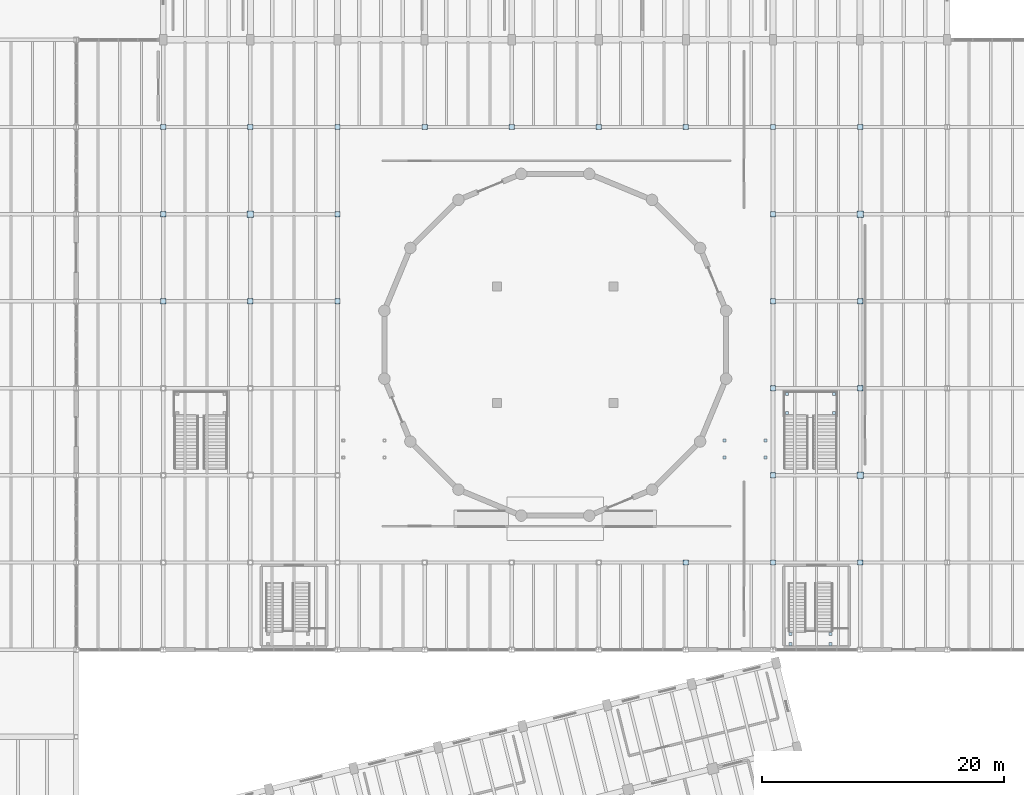
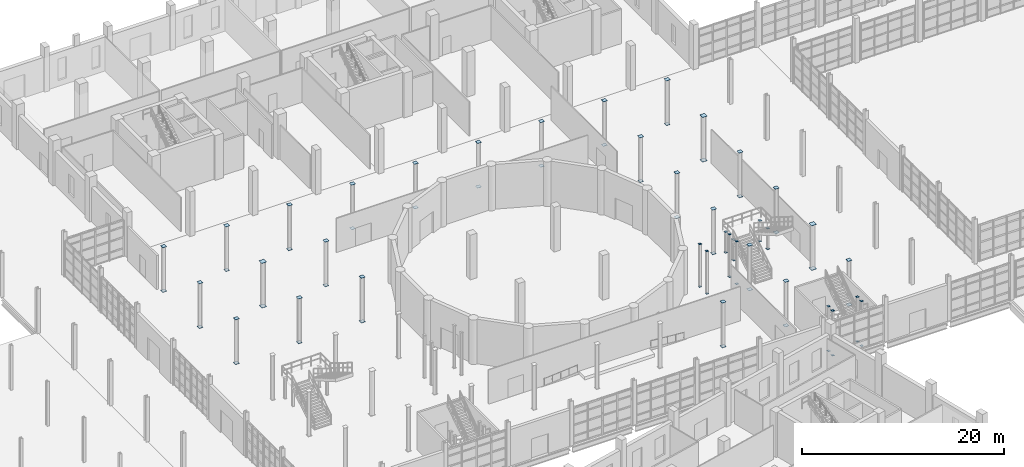
# One storey, part 61 of 79: 76 plates.
"""IFC4 building model written with IfcOpenShell, lengths in metres."""

from ifc_helpers import new_model, si_unit, direction, frame, origin, origin_2d, place, context, subcontext, project, spatial, rectangle, extrude, material, layer, layer_set, type_object, element, save


model = new_model("IFC4")

# Units and contexts
model_context = context("Model", 3, precision=1e-05, world=origin(), true_north=direction((0.0, 1.0)))
body_context = subcontext(model_context, "Body", "Model", "MODEL_VIEW")
ifc_project = project(units=[si_unit("LENGTHUNIT", "METRE"), si_unit("AREAUNIT", "SQUARE_METRE"), si_unit("VOLUMEUNIT", "CUBIC_METRE"), si_unit("PLANEANGLEUNIT", "RADIAN"), si_unit("MASSUNIT", "GRAM", prefix="KILO")], contexts=[model_context])

# Site, building, storey
site_placement = place(None, origin())
site = spatial("IfcSite", under=ifc_project, at=site_placement, CompositionType="ELEMENT")
building_placement = place(site_placement, origin())
building = spatial("IfcBuilding", under=site, at=building_placement, Name="Qiaolan Assembly House", CompositionType="ELEMENT")
storey_placement = place(building_placement, origin())
storey = spatial("IfcBuildingStorey", under=building, at=storey_placement, Name="L00", CompositionType="ELEMENT", Elevation=0.0)

# Plates
ifc_material = material(Name="Steel Q355B", Category="steel")
ifc_layer = layer(ifc_material, 0.02001953125)
ifc_layer_set = layer_set([ifc_layer], Name="Steel Q355B")
plate_type = type_object("IfcPlateType", Name="PLT-CAP-STL-20", PredefinedType="SHEET", material=ifc_layer_set)
for number, where, z_axis, x_axis, name in (
    (1, (36.0, 64.800048828125, -0.010009765625), (0.0, 0.0, 1.0), (1.0, 0.0, 0.0), "NP-04 steel hollow-section seal cap plate 7"),
    (2, (36.0, 64.800048828125, 5.389892578125), (0.0, 0.0, 1.0), (1.0, 0.0, 0.0), "NP-04 steel hollow-section seal cap plate 8"),
    (3, (36.0, 72.0, -0.010009765625), (0.0, 0.0, 1.0), (1.0, 0.0, 0.0), "NP-04 steel hollow-section seal cap plate 9"),
    (4, (36.0, 72.0, 5.389892578125), (0.0, 0.0, 1.0), (1.0, 0.0, 0.0), "NP-04 steel hollow-section seal cap plate 10"),
    (5, (36.0, 79.199951171875, -0.010009765625), (0.0, 0.0, 1.0), (1.0, 0.0, 0.0), "NP-04 steel hollow-section seal cap plate 11"),
    (6, (36.0, 79.199951171875, 5.389892578125), (0.0, 0.0, 1.0), (1.0, 0.0, 0.0), "NP-04 steel hollow-section seal cap plate 12"),
    (7, (43.199951171875, 64.800048828125, -0.010009765625), (0.0, 0.0, 1.0), (1.0, 0.0, 0.0), "NP-04 steel hollow-section seal cap plate 19"),
    (8, (43.199951171875, 64.800048828125, 5.389892578125), (0.0, 0.0, 1.0), (1.0, 0.0, 0.0), "NP-04 steel hollow-section seal cap plate 20"),
):
    element("IfcPlate", number, at=place(storey_placement, frame(where, z_axis=z_axis, x_axis=x_axis)), inside=storey, type_object=plate_type, Name=name, PredefinedType="SHEET", context=body_context, shape_type="SweptSolid", body=[
        extrude(rectangle(XDim=0.446044921875, YDim=0.446044921875, at=origin_2d()), origin(), (0.0, 0.0, 1.0), 0.02001953125),
    ])
for number, where, z_axis, x_axis, name in (
    (9, (43.199951171875, 72.0, -0.010009765625), (0.0, 0.0, 1.0), (1.0, 0.0, 0.0), "NP-04 steel hollow-section seal cap plate 21"),
    (10, (43.199951171875, 72.0, 5.389892578125), (0.0, 0.0, 1.0), (1.0, 0.0, 0.0), "NP-04 steel hollow-section seal cap plate 22"),
):
    element("IfcPlate", number, at=place(storey_placement, frame(where, z_axis=z_axis, x_axis=x_axis)), inside=storey, type_object=plate_type, Name=name, PredefinedType="SHEET", context=body_context, shape_type="SweptSolid", body=[
        extrude(rectangle(XDim=0.548095703125, YDim=0.548095703125, at=origin_2d()), origin(), (0.0, 0.0, 1.0), 0.02001953125),
    ])
for number, where, z_axis, x_axis, name in (
    (11, (43.199951171875, 79.199951171875, -0.010009765625), (0.0, 0.0, 1.0), (1.0, 0.0, 0.0), "NP-04 steel hollow-section seal cap plate 23"),
    (12, (43.199951171875, 79.199951171875, 5.389892578125), (0.0, 0.0, 1.0), (1.0, 0.0, 0.0), "NP-04 steel hollow-section seal cap plate 24"),
    (13, (50.39990234375, 64.800048828125, -0.010009765625), (0.0, 0.0, 1.0), (1.0, 0.0, 0.0), "NP-04 steel hollow-section seal cap plate 31"),
    (14, (50.39990234375, 64.800048828125, 5.389892578125), (0.0, 0.0, 1.0), (1.0, 0.0, 0.0), "NP-04 steel hollow-section seal cap plate 32"),
    (15, (50.39990234375, 72.0, -0.010009765625), (0.0, 0.0, 1.0), (1.0, 0.0, 0.0), "NP-04 steel hollow-section seal cap plate 33"),
    (16, (50.39990234375, 72.0, 5.389892578125), (0.0, 0.0, 1.0), (1.0, 0.0, 0.0), "NP-04 steel hollow-section seal cap plate 34"),
    (17, (50.39990234375, 79.199951171875, -0.010009765625), (0.0, 0.0, 1.0), (1.0, 0.0, 0.0), "NP-04 steel hollow-section seal cap plate 35"),
    (18, (50.39990234375, 79.199951171875, 5.389892578125), (0.0, 0.0, 1.0), (1.0, 0.0, 0.0), "NP-04 steel hollow-section seal cap plate 36"),
    (19, (57.60009765625, 79.199951171875, -0.010009765625), (0.0, 0.0, 1.0), (1.0, 0.0, 0.0), "NP-04 steel hollow-section seal cap plate 39"),
    (20, (57.60009765625, 79.199951171875, 5.389892578125), (0.0, 0.0, 1.0), (1.0, 0.0, 0.0), "NP-04 steel hollow-section seal cap plate 40"),
    (21, (64.800048828125, 79.199951171875, -0.010009765625), (0.0, 0.0, 1.0), (1.0, 0.0, 0.0), "NP-04 steel hollow-section seal cap plate 43"),
    (22, (64.800048828125, 79.199951171875, 5.389892578125), (0.0, 0.0, 1.0), (1.0, 0.0, 0.0), "NP-04 steel hollow-section seal cap plate 44"),
    (23, (72.0, 79.199951171875, -0.010009765625), (0.0, 0.0, 1.0), (1.0, 0.0, 0.0), "NP-04 steel hollow-section seal cap plate 47"),
    (24, (72.0, 79.199951171875, 5.389892578125), (0.0, 0.0, 1.0), (1.0, 0.0, 0.0), "NP-04 steel hollow-section seal cap plate 48"),
    (25, (79.199951171875, 43.199951171875, -0.010009765625), (0.0, 0.0, 1.0), (1.0, 0.0, 0.0), "NP-04 steel hollow-section seal cap plate 49"),
    (26, (79.199951171875, 43.199951171875, 5.389892578125), (0.0, 0.0, 1.0), (1.0, 0.0, 0.0), "NP-04 steel hollow-section seal cap plate 50"),
    (27, (79.199951171875, 79.199951171875, -0.010009765625), (0.0, 0.0, 1.0), (1.0, 0.0, 0.0), "NP-04 steel hollow-section seal cap plate 51"),
    (28, (79.199951171875, 79.199951171875, 5.389892578125), (0.0, 0.0, 1.0), (1.0, 0.0, 0.0), "NP-04 steel hollow-section seal cap plate 52"),
    (29, (86.39990234375, 43.199951171875, -0.010009765625), (0.0, 0.0, 1.0), (1.0, 0.0, 0.0), "NP-04 steel hollow-section seal cap plate 53"),
    (30, (86.39990234375, 43.199951171875, 5.389892578125), (0.0, 0.0, 1.0), (1.0, 0.0, 0.0), "NP-04 steel hollow-section seal cap plate 54"),
    (31, (86.39990234375, 50.39990234375, -0.010009765625), (0.0, 0.0, 1.0), (1.0, 0.0, 0.0), "NP-04 steel hollow-section seal cap plate 55"),
    (32, (86.39990234375, 50.39990234375, 5.389892578125), (0.0, 0.0, 1.0), (1.0, 0.0, 0.0), "NP-04 steel hollow-section seal cap plate 56"),
    (33, (86.39990234375, 57.60009765625, -0.010009765625), (0.0, 0.0, 1.0), (1.0, 0.0, 0.0), "NP-04 steel hollow-section seal cap plate 57"),
    (34, (86.39990234375, 57.60009765625, 5.389892578125), (0.0, 0.0, 1.0), (1.0, 0.0, 0.0), "NP-04 steel hollow-section seal cap plate 58"),
    (35, (86.39990234375, 64.800048828125, -0.010009765625), (0.0, 0.0, 1.0), (1.0, 0.0, 0.0), "NP-04 steel hollow-section seal cap plate 59"),
    (36, (86.39990234375, 64.800048828125, 5.389892578125), (0.0, 0.0, 1.0), (1.0, 0.0, 0.0), "NP-04 steel hollow-section seal cap plate 60"),
    (37, (86.39990234375, 72.0, -0.010009765625), (0.0, 0.0, 1.0), (1.0, 0.0, 0.0), "NP-04 steel hollow-section seal cap plate 61"),
    (38, (86.39990234375, 72.0, 5.389892578125), (0.0, 0.0, 1.0), (1.0, 0.0, 0.0), "NP-04 steel hollow-section seal cap plate 62"),
    (39, (86.39990234375, 79.199951171875, -0.010009765625), (0.0, 0.0, 1.0), (1.0, 0.0, 0.0), "NP-04 steel hollow-section seal cap plate 63"),
    (40, (86.39990234375, 79.199951171875, 5.389892578125), (0.0, 0.0, 1.0), (1.0, 0.0, 0.0), "NP-04 steel hollow-section seal cap plate 64"),
    (41, (93.60009765625, 43.199951171875, -0.010009765625), (0.0, 0.0, 1.0), (1.0, 0.0, 0.0), "NP-04 steel hollow-section seal cap plate 65"),
    (42, (93.60009765625, 43.199951171875, 5.389892578125), (0.0, 0.0, 1.0), (1.0, 0.0, 0.0), "NP-04 steel hollow-section seal cap plate 66"),
):
    element("IfcPlate", number, at=place(storey_placement, frame(where, z_axis=z_axis, x_axis=x_axis)), inside=storey, type_object=plate_type, Name=name, PredefinedType="SHEET", context=body_context, shape_type="SweptSolid", body=[
        extrude(rectangle(XDim=0.446044921875, YDim=0.446044921875, at=origin_2d()), origin(), (0.0, 0.0, 1.0), 0.02001953125),
    ])
for number, where, z_axis, x_axis, name in (
    (43, (93.60009765625, 50.39990234375, -0.010009765625), (0.0, 0.0, 1.0), (1.0, 0.0, 0.0), "NP-04 steel hollow-section seal cap plate 67"),
    (44, (93.60009765625, 50.39990234375, 5.389892578125), (0.0, 0.0, 1.0), (1.0, 0.0, 0.0), "NP-04 steel hollow-section seal cap plate 68"),
):
    element("IfcPlate", number, at=place(storey_placement, frame(where, z_axis=z_axis, x_axis=x_axis)), inside=storey, type_object=plate_type, Name=name, PredefinedType="SHEET", context=body_context, shape_type="SweptSolid", body=[
        extrude(rectangle(XDim=0.548095703125, YDim=0.548095703125, at=origin_2d()), origin(), (0.0, 0.0, 1.0), 0.02001953125),
    ])
for number, where, z_axis, x_axis, name in (
    (45, (93.60009765625, 57.60009765625, -0.010009765625), (0.0, 0.0, 1.0), (1.0, 0.0, 0.0), "NP-04 steel hollow-section seal cap plate 69"),
    (46, (93.60009765625, 57.60009765625, 5.389892578125), (0.0, 0.0, 1.0), (1.0, 0.0, 0.0), "NP-04 steel hollow-section seal cap plate 70"),
    (47, (93.60009765625, 64.800048828125, -0.010009765625), (0.0, 0.0, 1.0), (1.0, 0.0, 0.0), "NP-04 steel hollow-section seal cap plate 71"),
    (48, (93.60009765625, 64.800048828125, 5.389892578125), (0.0, 0.0, 1.0), (1.0, 0.0, 0.0), "NP-04 steel hollow-section seal cap plate 72"),
):
    element("IfcPlate", number, at=place(storey_placement, frame(where, z_axis=z_axis, x_axis=x_axis)), inside=storey, type_object=plate_type, Name=name, PredefinedType="SHEET", context=body_context, shape_type="SweptSolid", body=[
        extrude(rectangle(XDim=0.446044921875, YDim=0.446044921875, at=origin_2d()), origin(), (0.0, 0.0, 1.0), 0.02001953125),
    ])
for number, where, z_axis, x_axis, name in (
    (49, (93.60009765625, 72.0, -0.010009765625), (0.0, 0.0, 1.0), (1.0, 0.0, 0.0), "NP-04 steel hollow-section seal cap plate 73"),
    (50, (93.60009765625, 72.0, 5.389892578125), (0.0, 0.0, 1.0), (1.0, 0.0, 0.0), "NP-04 steel hollow-section seal cap plate 74"),
):
    element("IfcPlate", number, at=place(storey_placement, frame(where, z_axis=z_axis, x_axis=x_axis)), inside=storey, type_object=plate_type, Name=name, PredefinedType="SHEET", context=body_context, shape_type="SweptSolid", body=[
        extrude(rectangle(XDim=0.548095703125, YDim=0.548095703125, at=origin_2d()), origin(), (0.0, 0.0, 1.0), 0.02001953125),
    ])
for number, where, z_axis, x_axis, name in (
    (51, (93.60009765625, 79.199951171875, -0.010009765625), (0.0, 0.0, 1.0), (1.0, 0.0, 0.0), "NP-04 steel hollow-section seal cap plate 75"),
    (52, (93.60009765625, 79.199951171875, 5.389892578125), (0.0, 0.0, 1.0), (1.0, 0.0, 0.0), "NP-04 steel hollow-section seal cap plate 76"),
):
    element("IfcPlate", number, at=place(storey_placement, frame(where, z_axis=z_axis, x_axis=x_axis)), inside=storey, type_object=plate_type, Name=name, PredefinedType="SHEET", context=body_context, shape_type="SweptSolid", body=[
        extrude(rectangle(XDim=0.446044921875, YDim=0.446044921875, at=origin_2d()), origin(), (0.0, 0.0, 1.0), 0.02001953125),
    ])
for number, where, z_axis, x_axis, name in (
    (53, (87.550048828125, 55.570068359375, -0.010009765625), (0.0, 0.0, 1.0), (1.0, 0.0, 0.0), "NP-04 steel hollow-section seal cap plate 309"),
    (54, (87.550048828125, 55.570068359375, 2.489990234375), (0.0, 0.0, 1.0), (1.0, 0.0, 0.0), "NP-04 steel hollow-section seal cap plate 310"),
    (55, (91.449951171875, 55.570068359375, -0.010009765625), (0.0, 0.0, 1.0), (1.0, 0.0, 0.0), "NP-04 steel hollow-section seal cap plate 311"),
    (56, (91.449951171875, 55.570068359375, 2.489990234375), (0.0, 0.0, 1.0), (1.0, 0.0, 0.0), "NP-04 steel hollow-section seal cap plate 312"),
    (57, (87.550048828125, 57.1201171875, -0.010009765625), (0.0, 0.0, 1.0), (1.0, 0.0, 0.0), "NP-04 steel hollow-section seal cap plate 313"),
    (58, (87.550048828125, 57.1201171875, 2.489990234375), (0.0, 0.0, 1.0), (1.0, 0.0, 0.0), "NP-04 steel hollow-section seal cap plate 314"),
    (59, (91.449951171875, 57.1201171875, -0.010009765625), (0.0, 0.0, 1.0), (1.0, 0.0, 0.0), "NP-04 steel hollow-section seal cap plate 315"),
    (60, (91.449951171875, 57.1201171875, 2.489990234375), (0.0, 0.0, 1.0), (1.0, 0.0, 0.0), "NP-04 steel hollow-section seal cap plate 316"),
    (61, (82.3798828125, 51.889892578125, -0.010009765625), (0.0, 0.0, 1.0), (1.0, 0.0, 0.0), "NP-04 steel hollow-section seal cap plate 335"),
    (62, (82.3798828125, 51.889892578125, 5.139892578125), (0.0, 0.0, 1.0), (1.0, 0.0, 0.0), "NP-04 steel hollow-section seal cap plate 336"),
    (63, (85.780029296875, 51.889892578125, -0.010009765625), (0.0, 0.0, 1.0), (1.0, 0.0, 0.0), "NP-04 steel hollow-section seal cap plate 339"),
    (64, (85.780029296875, 51.889892578125, 5.139892578125), (0.0, 0.0, 1.0), (1.0, 0.0, 0.0), "NP-04 steel hollow-section seal cap plate 340"),
    (65, (82.3798828125, 53.2900390625, -0.010009765625), (0.0, 0.0, 1.0), (1.0, 0.0, 0.0), "NP-04 steel hollow-section seal cap plate 343"),
    (66, (82.3798828125, 53.2900390625, 5.139892578125), (0.0, 0.0, 1.0), (1.0, 0.0, 0.0), "NP-04 steel hollow-section seal cap plate 344"),
    (67, (85.780029296875, 53.2900390625, -0.010009765625), (0.0, 0.0, 1.0), (1.0, 0.0, 0.0), "NP-04 steel hollow-section seal cap plate 347"),
    (68, (85.780029296875, 53.2900390625, 5.139892578125), (0.0, 0.0, 1.0), (1.0, 0.0, 0.0), "NP-04 steel hollow-section seal cap plate 348"),
    (69, (87.85009765625, 36.449951171875, -0.010009765625), (0.0, 0.0, 1.0), (1.0, 0.0, 0.0), "NP-04 steel hollow-section seal cap plate 365"),
    (70, (87.85009765625, 36.449951171875, 5.389892578125), (0.0, 0.0, 1.0), (1.0, 0.0, 0.0), "NP-04 steel hollow-section seal cap plate 366"),
    (71, (91.14990234375, 36.449951171875, -0.010009765625), (0.0, 0.0, 1.0), (1.0, 0.0, 0.0), "NP-04 steel hollow-section seal cap plate 369"),
    (72, (91.14990234375, 36.449951171875, 5.389892578125), (0.0, 0.0, 1.0), (1.0, 0.0, 0.0), "NP-04 steel hollow-section seal cap plate 370"),
    (73, (87.85009765625, 37.300048828125, -0.010009765625), (0.0, 0.0, 1.0), (1.0, 0.0, 0.0), "NP-04 steel hollow-section seal cap plate 373"),
    (74, (87.85009765625, 37.300048828125, 5.389892578125), (0.0, 0.0, 1.0), (1.0, 0.0, 0.0), "NP-04 steel hollow-section seal cap plate 374"),
    (75, (91.14990234375, 37.300048828125, -0.010009765625), (0.0, 0.0, 1.0), (1.0, 0.0, 0.0), "NP-04 steel hollow-section seal cap plate 377"),
    (76, (91.14990234375, 37.300048828125, 5.389892578125), (0.0, 0.0, 1.0), (1.0, 0.0, 0.0), "NP-04 steel hollow-section seal cap plate 378"),
):
    element("IfcPlate", number, at=place(storey_placement, frame(where, z_axis=z_axis, x_axis=x_axis)), inside=storey, type_object=plate_type, Name=name, PredefinedType="SHEET", context=body_context, shape_type="SweptSolid", body=[
        extrude(rectangle(XDim=0.260009765625, YDim=0.260009765625, at=origin_2d()), origin(), (0.0, 0.0, 1.0), 0.02001953125),
    ])

save(model, "model.ifc")
